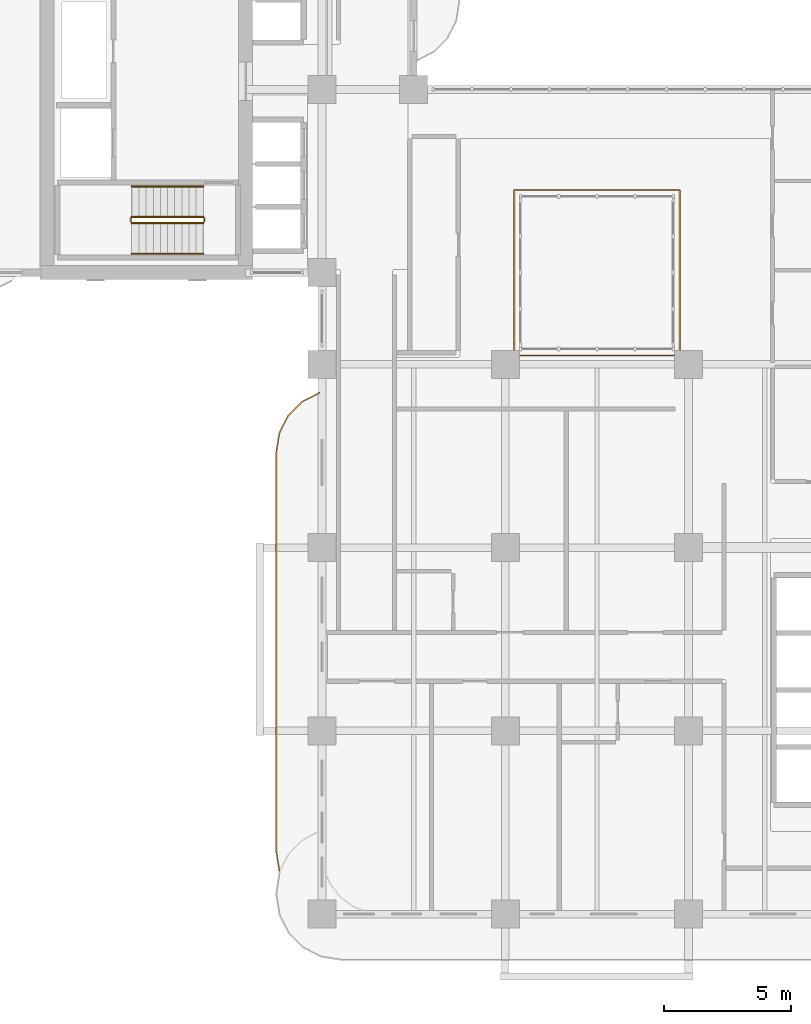
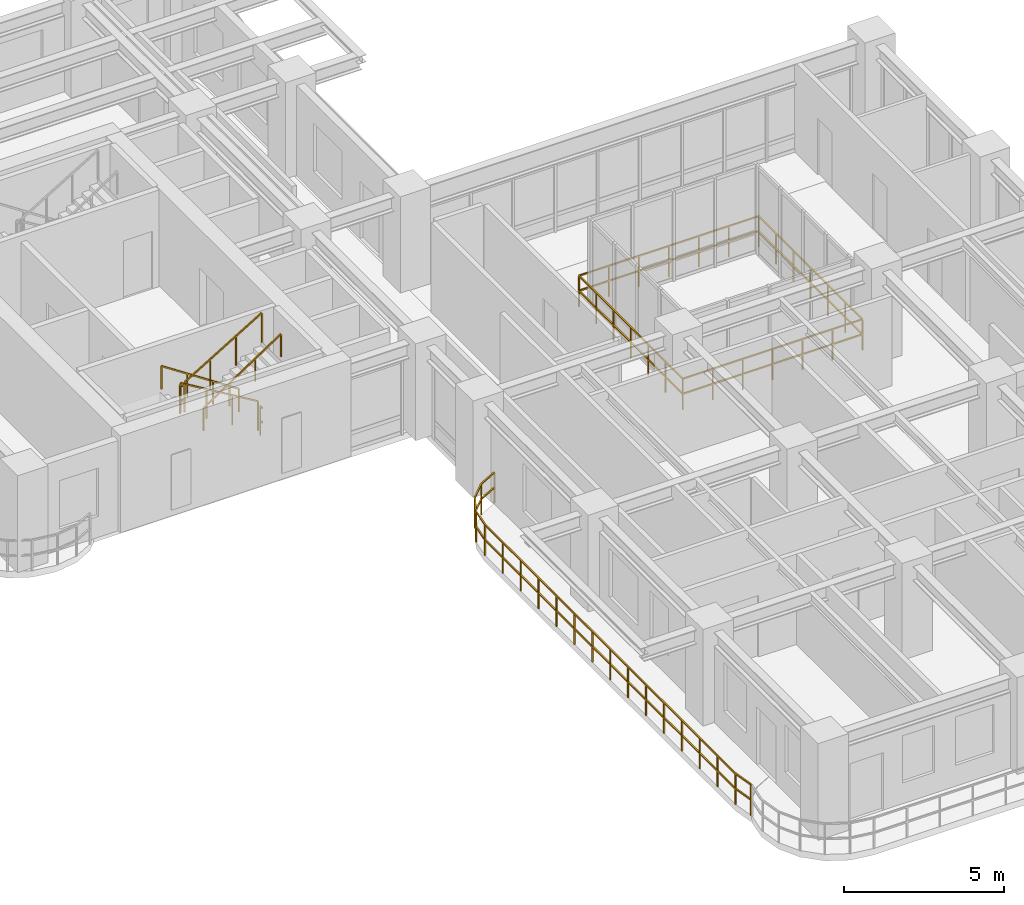
# One storey, part 18 of 22: 8 railings.
"""IFC4 building model written with IfcOpenShell, lengths in metres."""

from ifc_helpers import new_model, si_unit, derived_unit, direction, frame, origin, origin_2d, place, context, subcontext, project, spatial, rectangle, extrude, material, type_object, element, save


model = new_model("IFC4")

# Units and contexts
model_context = context("Model", 3, precision=1e-05, world=origin(), true_north=direction((0.0, 1.0)))
body_context = subcontext(model_context, "Body", "Model", "MODEL_VIEW")
ifc_project = project(units=[si_unit("LENGTHUNIT", "METRE"), si_unit("AREAUNIT", "SQUARE_METRE"), si_unit("VOLUMEUNIT", "CUBIC_METRE"), si_unit("PLANEANGLEUNIT", "RADIAN"), si_unit("MASSUNIT", "GRAM", prefix="KILO"), si_unit("THERMODYNAMICTEMPERATUREUNIT", "KELVIN"), si_unit("POWERUNIT", "WATT"), derived_unit("THERMALTRANSMITTANCEUNIT", [(si_unit("POWERUNIT", "WATT"), 1), (si_unit("AREAUNIT", "SQUARE_METRE"), -1), (si_unit("THERMODYNAMICTEMPERATUREUNIT", "KELVIN"), -1)])], contexts=[model_context])

# Site, building, storey
site_placement = place(None, origin())
site = spatial("IfcSite", under=ifc_project, at=site_placement, CompositionType="ELEMENT")
building_placement = place(site_placement, origin())
building = spatial("IfcBuilding", under=site, at=building_placement, Name="Zahravan Archway Hotel and Residences", CompositionType="ELEMENT")
storey_placement = place(building_placement, frame((0.0, 0.0, 95.300048828125)))
storey = spatial("IfcBuildingStorey", under=building, at=storey_placement, Name="L23", CompositionType="ELEMENT", Elevation=95.300048828125)

# Railings
ifc_material_1 = material(Name="Atrium Laminated Glass Guardrail", Category="glass")
railing_type_1 = type_object("IfcRailingType", Name="RL-ATR-1200", PredefinedType="BALUSTRADE", material=ifc_material_1)
railing_1_placement = place(storey_placement, frame((21.949951171875, 21.949951171875, 0.0)))
element("IfcRailing", 1, at=railing_1_placement, inside=storey, type_object=railing_type_1, Name="L23 Balustrade RL-ATR-L23", PredefinedType="BALUSTRADE", context=body_context, shape_type="SweptSolid", body=[
    extrude(rectangle(XDim=0.048095703125, YDim=0.048095703125, at=origin_2d()), frame((0.0, 0.0, 1.17578125), z_axis=(1.0, 0.0, 0.0), x_axis=(0.0, 1.0, 0.0)), (0.0, 0.0, 1.0), 6.5),
    extrude(rectangle(XDim=0.048095703125, YDim=0.048095703125, at=origin_2d()), frame((0.0, 0.0, 0.60009765625), z_axis=(1.0, 0.0, 0.0), x_axis=(0.0, 1.0, 0.0)), (0.0, 0.0, 1.0), 6.5),
    extrude(rectangle(XDim=0.048095703125, YDim=0.048095703125, at=origin_2d()), frame((6.5, 0.0, 1.17578125), z_axis=(0.0, 1.0, 0.0), x_axis=(-1.0, 0.0, 0.0)), (0.0, 0.0, 1.0), 6.5),
    extrude(rectangle(XDim=0.048095703125, YDim=0.048095703125, at=origin_2d()), frame((6.5, 0.0, 0.60009765625), z_axis=(0.0, 1.0, 0.0), x_axis=(-1.0, 0.0, 0.0)), (0.0, 0.0, 1.0), 6.5),
    extrude(rectangle(XDim=0.048095703125, YDim=0.048095703125, at=origin_2d()), frame((6.5, 6.5, 1.17578125), z_axis=(-1.0, 0.0, 0.0), x_axis=(0.0, -1.0, 0.0)), (0.0, 0.0, 1.0), 6.5),
    extrude(rectangle(XDim=0.048095703125, YDim=0.048095703125, at=origin_2d()), frame((6.5, 6.5, 0.60009765625), z_axis=(-1.0, 0.0, 0.0), x_axis=(0.0, -1.0, 0.0)), (0.0, 0.0, 1.0), 6.5),
    extrude(rectangle(XDim=0.048095703125, YDim=0.048095703125, at=origin_2d()), frame((0.0, 6.5, 1.17578125), z_axis=(0.0, -1.0, 0.0), x_axis=(1.0, 0.0, 0.0)), (0.0, 0.0, 1.0), 6.5),
    extrude(rectangle(XDim=0.048095703125, YDim=0.048095703125, at=origin_2d()), frame((0.0, 6.5, 0.60009765625), z_axis=(0.0, -1.0, 0.0), x_axis=(1.0, 0.0, 0.0)), (0.0, 0.0, 1.0), 6.5),
    extrude(rectangle(XDim=0.0419921875, YDim=0.0419921875, at=origin_2d()), origin(), (0.0, 0.0, 1.0), 1.15185546875),
    extrude(rectangle(XDim=0.0419921875, YDim=0.0419921875, at=origin_2d()), frame((1.083251953125, 0.0, 0.0)), (0.0, 0.0, 1.0), 1.15185546875),
    extrude(rectangle(XDim=0.0419921875, YDim=0.0419921875, at=origin_2d()), frame((2.166748046875, 0.0, 0.0)), (0.0, 0.0, 1.0), 1.15185546875),
    extrude(rectangle(XDim=0.0419921875, YDim=0.0419921875, at=origin_2d()), frame((3.25, 0.0, 0.0)), (0.0, 0.0, 1.0), 1.15185546875),
    extrude(rectangle(XDim=0.0419921875, YDim=0.0419921875, at=origin_2d()), frame((4.333251953125, 0.0, 0.0)), (0.0, 0.0, 1.0), 1.15185546875),
    extrude(rectangle(XDim=0.0419921875, YDim=0.0419921875, at=origin_2d()), frame((5.416748046875, 0.0, 0.0)), (0.0, 0.0, 1.0), 1.15185546875),
    extrude(rectangle(XDim=0.0419921875, YDim=0.0419921875, at=origin_2d()), frame((6.5, 0.0, 0.0)), (0.0, 0.0, 1.0), 1.15185546875),
    extrude(rectangle(XDim=0.0419921875, YDim=0.0419921875, at=origin_2d()), frame((6.5, 1.083251953125, 0.0)), (0.0, 0.0, 1.0), 1.15185546875),
    extrude(rectangle(XDim=0.0419921875, YDim=0.0419921875, at=origin_2d()), frame((6.5, 2.166748046875, 0.0)), (0.0, 0.0, 1.0), 1.15185546875),
    extrude(rectangle(XDim=0.0419921875, YDim=0.0419921875, at=origin_2d()), frame((6.5, 3.25, 0.0)), (0.0, 0.0, 1.0), 1.15185546875),
    extrude(rectangle(XDim=0.0419921875, YDim=0.0419921875, at=origin_2d()), frame((6.5, 4.333251953125, 0.0)), (0.0, 0.0, 1.0), 1.15185546875),
    extrude(rectangle(XDim=0.0419921875, YDim=0.0419921875, at=origin_2d()), frame((6.5, 5.416748046875, 0.0)), (0.0, 0.0, 1.0), 1.15185546875),
    extrude(rectangle(XDim=0.0419921875, YDim=0.0419921875, at=origin_2d()), frame((6.5, 6.5, 0.0)), (0.0, 0.0, 1.0), 1.15185546875),
    extrude(rectangle(XDim=0.0419921875, YDim=0.0419921875, at=origin_2d()), frame((5.416748046875, 6.5, 0.0)), (0.0, 0.0, 1.0), 1.15185546875),
    extrude(rectangle(XDim=0.0419921875, YDim=0.0419921875, at=origin_2d()), frame((4.333251953125, 6.5, 0.0)), (0.0, 0.0, 1.0), 1.15185546875),
    extrude(rectangle(XDim=0.0419921875, YDim=0.0419921875, at=origin_2d()), frame((3.25, 6.5, 0.0)), (0.0, 0.0, 1.0), 1.15185546875),
    extrude(rectangle(XDim=0.0419921875, YDim=0.0419921875, at=origin_2d()), frame((2.166748046875, 6.5, 0.0)), (0.0, 0.0, 1.0), 1.15185546875),
    extrude(rectangle(XDim=0.0419921875, YDim=0.0419921875, at=origin_2d()), frame((1.083251953125, 6.5, 0.0)), (0.0, 0.0, 1.0), 1.15185546875),
    extrude(rectangle(XDim=0.0419921875, YDim=0.0419921875, at=origin_2d()), frame((0.0, 6.5, 0.0)), (0.0, 0.0, 1.0), 1.15185546875),
    extrude(rectangle(XDim=0.0419921875, YDim=0.0419921875, at=origin_2d()), frame((0.0, 5.416748046875, 0.0)), (0.0, 0.0, 1.0), 1.15185546875),
    extrude(rectangle(XDim=0.0419921875, YDim=0.0419921875, at=origin_2d()), frame((0.0, 4.333251953125, 0.0)), (0.0, 0.0, 1.0), 1.15185546875),
    extrude(rectangle(XDim=0.0419921875, YDim=0.0419921875, at=origin_2d()), frame((0.0, 3.25, 0.0)), (0.0, 0.0, 1.0), 1.15185546875),
    extrude(rectangle(XDim=0.0419921875, YDim=0.0419921875, at=origin_2d()), frame((0.0, 2.166748046875, 0.0)), (0.0, 0.0, 1.0), 1.15185546875),
    extrude(rectangle(XDim=0.0419921875, YDim=0.0419921875, at=origin_2d()), frame((0.0, 1.083251953125, 0.0)), (0.0, 0.0, 1.0), 1.15185546875),
])
ifc_material_2 = material(Name="Bronze & Laminated Glass Balustrade", Category="glass")
railing_type_2 = type_object("IfcRailingType", Name="RL-BAL-1200", PredefinedType="BALUSTRADE", material=ifc_material_2)
railing_2_placement = place(storey_placement, frame((12.719970703125, 1.69287109375, 0.0)))
element("IfcRailing", 2, at=railing_2_placement, inside=storey, type_object=railing_type_2, Name="L23 Balustrade RL-SLB-BAL-L23-WA-1", PredefinedType="BALUSTRADE", context=body_context, shape_type="SweptSolid", body=[
    extrude(rectangle(XDim=0.048095703125, YDim=0.048095703125, at=origin_2d()), frame((0.0, 0.0, 1.17578125), z_axis=(-0.156387811283, 0.987695728695, 0.0), x_axis=(-0.987695728695, -0.156387811283, 0.0)), (0.0, 0.0, 1.0), 0.7666015625),
    extrude(rectangle(XDim=0.048095703125, YDim=0.048095703125, at=origin_2d()), frame((0.0, 0.0, 0.60009765625), z_axis=(-0.156387811283, 0.987695728695, 0.0), x_axis=(-0.987695728695, -0.156387811283, 0.0)), (0.0, 0.0, 1.0), 0.7666015625),
    extrude(rectangle(XDim=0.048095703125, YDim=0.048095703125, at=origin_2d()), frame((-0.119873046875, 0.757080078125, 1.17578125), z_axis=(0.0, 1.0, 0.0), x_axis=(-1.0, 0.0, 0.0)), (0.0, 0.0, 1.0), 15.699951171875),
    extrude(rectangle(XDim=0.048095703125, YDim=0.048095703125, at=origin_2d()), frame((-0.119873046875, 0.757080078125, 0.60009765625), z_axis=(0.0, 1.0, 0.0), x_axis=(-1.0, 0.0, 0.0)), (0.0, 0.0, 1.0), 15.699951171875),
    extrude(rectangle(XDim=0.048095703125, YDim=0.048095703125, at=origin_2d()), frame((-0.119873046875, 16.45703125, 1.17578125), z_axis=(0.156387811283, 0.987695728695, 0.0), x_axis=(-0.987695728695, 0.156387811283, 0.0)), (0.0, 0.0, 1.0), 0.7666015625),
    extrude(rectangle(XDim=0.048095703125, YDim=0.048095703125, at=origin_2d()), frame((-0.119873046875, 16.45703125, 0.60009765625), z_axis=(0.156387811283, 0.987695728695, 0.0), x_axis=(-0.987695728695, 0.156387811283, 0.0)), (0.0, 0.0, 1.0), 0.7666015625),
    extrude(rectangle(XDim=0.048095703125, YDim=0.048095703125, at=origin_2d()), frame((0.0, 17.214111328125, 1.17578125), z_axis=(0.453825591531, 0.891090529897, 0.0), x_axis=(-0.891090529897, 0.453825591531, 0.0)), (0.0, 0.0, 1.0), 0.7666015625),
    extrude(rectangle(XDim=0.048095703125, YDim=0.048095703125, at=origin_2d()), frame((0.0, 17.214111328125, 0.60009765625), z_axis=(0.453825591531, 0.891090529897, 0.0), x_axis=(-0.891090529897, 0.453825591531, 0.0)), (0.0, 0.0, 1.0), 0.7666015625),
    extrude(rectangle(XDim=0.048095703125, YDim=0.048095703125, at=origin_2d()), frame((0.347900390625, 17.897216796875, 1.17578125), z_axis=(0.707106781187, 0.707106781187, 0.0), x_axis=(-0.707106781187, 0.707106781187, 0.0)), (0.0, 0.0, 1.0), 0.7666015625),
    extrude(rectangle(XDim=0.048095703125, YDim=0.048095703125, at=origin_2d()), frame((0.347900390625, 17.897216796875, 0.60009765625), z_axis=(0.707106781187, 0.707106781187, 0.0), x_axis=(-0.707106781187, 0.707106781187, 0.0)), (0.0, 0.0, 1.0), 0.7666015625),
    extrude(rectangle(XDim=0.048095703125, YDim=0.048095703125, at=origin_2d()), frame((0.889892578125, 18.439208984375, 1.17578125), z_axis=(0.891090529897, 0.453825591531, 0.0), x_axis=(-0.453825591531, 0.891090529897, 0.0)), (0.0, 0.0, 1.0), 0.7666015625),
    extrude(rectangle(XDim=0.048095703125, YDim=0.048095703125, at=origin_2d()), frame((0.889892578125, 18.439208984375, 0.60009765625), z_axis=(0.891090529897, 0.453825591531, 0.0), x_axis=(-0.453825591531, 0.891090529897, 0.0)), (0.0, 0.0, 1.0), 0.7666015625),
    extrude(rectangle(XDim=0.0419921875, YDim=0.0419921875, at=origin_2d()), origin(), (0.0, 0.0, 1.0), 1.15185546875),
    extrude(rectangle(XDim=0.0419921875, YDim=0.0419921875, at=origin_2d()), frame((-0.119873046875, 0.757080078125, 0.0)), (0.0, 0.0, 1.0), 1.15185546875),
    extrude(rectangle(XDim=0.0419921875, YDim=0.0419921875, at=origin_2d()), frame((-0.119873046875, 1.87841796875, 0.0)), (0.0, 0.0, 1.0), 1.15185546875),
    extrude(rectangle(XDim=0.0419921875, YDim=0.0419921875, at=origin_2d()), frame((-0.119873046875, 3.0, 0.0)), (0.0, 0.0, 1.0), 1.15185546875),
    extrude(rectangle(XDim=0.0419921875, YDim=0.0419921875, at=origin_2d()), frame((-0.119873046875, 4.121337890625, 0.0)), (0.0, 0.0, 1.0), 1.15185546875),
    extrude(rectangle(XDim=0.0419921875, YDim=0.0419921875, at=origin_2d()), frame((-0.119873046875, 5.24267578125, 0.0)), (0.0, 0.0, 1.0), 1.15185546875),
    extrude(rectangle(XDim=0.0419921875, YDim=0.0419921875, at=origin_2d()), frame((-0.119873046875, 6.3642578125, 0.0)), (0.0, 0.0, 1.0), 1.15185546875),
    extrude(rectangle(XDim=0.0419921875, YDim=0.0419921875, at=origin_2d()), frame((-0.119873046875, 7.485595703125, 0.0)), (0.0, 0.0, 1.0), 1.15185546875),
    extrude(rectangle(XDim=0.0419921875, YDim=0.0419921875, at=origin_2d()), frame((-0.119873046875, 8.60693359375, 0.0)), (0.0, 0.0, 1.0), 1.15185546875),
    extrude(rectangle(XDim=0.0419921875, YDim=0.0419921875, at=origin_2d()), frame((-0.119873046875, 9.728515625, 0.0)), (0.0, 0.0, 1.0), 1.15185546875),
    extrude(rectangle(XDim=0.0419921875, YDim=0.0419921875, at=origin_2d()), frame((-0.119873046875, 10.849853515625, 0.0)), (0.0, 0.0, 1.0), 1.15185546875),
    extrude(rectangle(XDim=0.0419921875, YDim=0.0419921875, at=origin_2d()), frame((-0.119873046875, 11.971435546875, 0.0)), (0.0, 0.0, 1.0), 1.15185546875),
    extrude(rectangle(XDim=0.0419921875, YDim=0.0419921875, at=origin_2d()), frame((-0.119873046875, 13.0927734375, 0.0)), (0.0, 0.0, 1.0), 1.15185546875),
    extrude(rectangle(XDim=0.0419921875, YDim=0.0419921875, at=origin_2d()), frame((-0.119873046875, 14.214111328125, 0.0)), (0.0, 0.0, 1.0), 1.15185546875),
    extrude(rectangle(XDim=0.0419921875, YDim=0.0419921875, at=origin_2d()), frame((-0.119873046875, 15.335693359375, 0.0)), (0.0, 0.0, 1.0), 1.15185546875),
    extrude(rectangle(XDim=0.0419921875, YDim=0.0419921875, at=origin_2d()), frame((-0.119873046875, 16.45703125, 0.0)), (0.0, 0.0, 1.0), 1.15185546875),
    extrude(rectangle(XDim=0.0419921875, YDim=0.0419921875, at=origin_2d()), frame((0.0, 17.214111328125, 0.0)), (0.0, 0.0, 1.0), 1.15185546875),
    extrude(rectangle(XDim=0.0419921875, YDim=0.0419921875, at=origin_2d()), frame((0.347900390625, 17.897216796875, 0.0)), (0.0, 0.0, 1.0), 1.15185546875),
    extrude(rectangle(XDim=0.0419921875, YDim=0.0419921875, at=origin_2d()), frame((0.889892578125, 18.439208984375, 0.0)), (0.0, 0.0, 1.0), 1.15185546875),
    extrude(rectangle(XDim=0.0419921875, YDim=0.0419921875, at=origin_2d()), frame((1.572998046875, 18.787109375, 0.0)), (0.0, 0.0, 1.0), 1.15185546875),
])
ifc_material_3 = material(Name="Painted Tubular Steel", Category="steel")
railing_type_3 = type_object("IfcRailingType", Name="RL-STG-1150", PredefinedType="GUARDRAIL", material=ifc_material_3)
railing_3_placement = place(storey_placement, frame((9.72998046875, 27.389892578125, 0.168212890625)))
element("IfcRailing", 3, at=railing_3_placement, inside=storey, type_object=railing_type_3, Name="L23 ST-B1 stair guard 1", PredefinedType="GUARDRAIL", context=body_context, shape_type="SweptSolid", body=[
    extrude(rectangle(XDim=0.048095703125, YDim=0.048095703125, at=origin_2d()), frame((0.0, 0.0, 1.1259765625), z_axis=(-0.857275202839, 0.0, 0.514858452973), x_axis=(0.0, -1.0, 0.0)), (0.0, 0.0, 1.0), 3.26611328125),
    extrude(rectangle(XDim=0.0419921875, YDim=0.0419921875, at=origin_2d()), origin(), (0.0, 0.0, 1.0), 1.101806640625),
    extrude(rectangle(XDim=0.0419921875, YDim=0.0419921875, at=origin_2d()), frame((-0.933349609375, 0.0, 0.560546875)), (0.0, 0.0, 1.0), 1.101806640625),
    extrude(rectangle(XDim=0.0419921875, YDim=0.0419921875, at=origin_2d()), frame((-1.86669921875, 0.0, 1.12109375)), (0.0, 0.0, 1.0), 1.101806640625),
    extrude(rectangle(XDim=0.0419921875, YDim=0.0419921875, at=origin_2d()), frame((-2.800048828125, 0.0, 1.681640625)), (0.0, 0.0, 1.0), 1.101806640625),
])
railing_4_placement = place(storey_placement, frame((6.8798828125, 27.340087890625, 1.849853515625)))
element("IfcRailing", 4, at=railing_4_placement, inside=storey, type_object=railing_type_3, Name="L23 ST-B1 stair guard 2", PredefinedType="GUARDRAIL", context=body_context, shape_type="SweptSolid", body=[
    extrude(rectangle(XDim=0.048095703125, YDim=0.048095703125, at=origin_2d()), frame((0.0, 0.0, 1.1259765625), z_axis=(0.0, -1.0, 0.0), x_axis=(1.0, 0.0, 0.0)), (0.0, 0.0, 1.0), 0.14013671875),
    extrude(rectangle(XDim=0.048095703125, YDim=0.048095703125, at=origin_2d()), frame((0.0, 0.0, 0.574951171875), z_axis=(0.0, -1.0, 0.0), x_axis=(1.0, 0.0, 0.0)), (0.0, 0.0, 1.0), 0.14013671875),
    extrude(rectangle(XDim=0.0419921875, YDim=0.0419921875, at=origin_2d()), origin(), (0.0, 0.0, 1.0), 1.101806640625),
])
railing_5_placement = place(storey_placement, frame((6.929931640625, 27.14990234375, 2.01806640625)))
element("IfcRailing", 5, at=railing_5_placement, inside=storey, type_object=railing_type_3, Name="L23 ST-B1 stair guard 3", PredefinedType="GUARDRAIL", context=body_context, shape_type="SweptSolid", body=[
    extrude(rectangle(XDim=0.048095703125, YDim=0.048095703125, at=origin_2d()), frame((0.0, 0.0, 1.1259765625), z_axis=(0.857242210791, 0.0, 0.514913383045), x_axis=(0.0, 1.0, 0.0)), (0.0, 0.0, 1.0), 3.266357421875),
    extrude(rectangle(XDim=0.0419921875, YDim=0.0419921875, at=origin_2d()), origin(), (0.0, 0.0, 1.0), 1.101806640625),
    extrude(rectangle(XDim=0.0419921875, YDim=0.0419921875, at=origin_2d()), frame((0.933349609375, 0.0, 0.560546875)), (0.0, 0.0, 1.0), 1.101806640625),
    extrude(rectangle(XDim=0.0419921875, YDim=0.0419921875, at=origin_2d()), frame((1.86669921875, 0.0, 1.121337890625)), (0.0, 0.0, 1.0), 1.101806640625),
    extrude(rectangle(XDim=0.0419921875, YDim=0.0419921875, at=origin_2d()), frame((2.800048828125, 0.0, 1.681884765625)), (0.0, 0.0, 1.0), 1.101806640625),
])
railing_6_placement = place(storey_placement, frame((9.780029296875, 27.340087890625, 0.0)))
element("IfcRailing", 6, at=railing_6_placement, inside=storey, type_object=railing_type_3, Name="L23 ST-B1 stair guard 4", PredefinedType="GUARDRAIL", context=body_context, shape_type="SweptSolid", body=[
    extrude(rectangle(XDim=0.048095703125, YDim=0.048095703125, at=origin_2d()), frame((0.0, 0.0, 1.1259765625), z_axis=(0.0, -1.0, 0.0), x_axis=(1.0, 0.0, 0.0)), (0.0, 0.0, 1.0), 0.14013671875),
    extrude(rectangle(XDim=0.048095703125, YDim=0.048095703125, at=origin_2d()), frame((0.0, 0.0, 0.574951171875), z_axis=(0.0, -1.0, 0.0), x_axis=(1.0, 0.0, 0.0)), (0.0, 0.0, 1.0), 0.14013671875),
    extrude(rectangle(XDim=0.0419921875, YDim=0.0419921875, at=origin_2d()), origin(), (0.0, 0.0, 1.0), 1.101806640625),
])
ifc_material_4 = material(Name="Brushed Stainless Steel", Category="steel")
railing_type_4 = type_object("IfcRailingType", Name="RL-STH-900", PredefinedType="HANDRAIL", material=ifc_material_4)
railing_7_placement = place(storey_placement, frame((9.72998046875, 28.590087890625, 0.168212890625)))
element("IfcRailing", 7, at=railing_7_placement, inside=storey, type_object=railing_type_4, Name="L23 ST-B1 stair handrail 1", PredefinedType="HANDRAIL", context=body_context, shape_type="SweptSolid", body=[
    extrude(rectangle(XDim=0.048095703125, YDim=0.048095703125, at=origin_2d()), frame((0.0, 0.0, 0.8759765625), z_axis=(-0.83435981716, 0.0, 0.551220187865), x_axis=(0.0, -1.0, 0.0)), (0.0, 0.0, 1.0), 3.35595703125),
    extrude(rectangle(XDim=0.0419921875, YDim=0.0419921875, at=origin_2d()), origin(), (0.0, 0.0, 1.0), 0.851806640625),
    extrude(rectangle(XDim=0.0419921875, YDim=0.0419921875, at=origin_2d()), frame((-0.933349609375, 0.0, 0.61669921875)), (0.0, 0.0, 1.0), 0.851806640625),
    extrude(rectangle(XDim=0.0419921875, YDim=0.0419921875, at=origin_2d()), frame((-1.86669921875, 0.0, 1.233154296875)), (0.0, 0.0, 1.0), 0.851806640625),
    extrude(rectangle(XDim=0.0419921875, YDim=0.0419921875, at=origin_2d()), frame((-2.800048828125, 0.0, 1.849853515625)), (0.0, 0.0, 1.0), 0.851806640625),
])
railing_8_placement = place(storey_placement, frame((6.929931640625, 25.949951171875, 2.01806640625)))
element("IfcRailing", 8, at=railing_8_placement, inside=storey, type_object=railing_type_4, Name="L23 ST-B1 stair handrail 2", PredefinedType="HANDRAIL", context=body_context, shape_type="SweptSolid", body=[
    extrude(rectangle(XDim=0.048095703125, YDim=0.048095703125, at=origin_2d()), frame((0.0, 0.0, 0.8759765625), z_axis=(0.834326358476, 0.0, 0.551270829586), x_axis=(0.0, 1.0, 0.0)), (0.0, 0.0, 1.0), 3.35595703125),
    extrude(rectangle(XDim=0.0419921875, YDim=0.0419921875, at=origin_2d()), origin(), (0.0, 0.0, 1.0), 0.851806640625),
    extrude(rectangle(XDim=0.0419921875, YDim=0.0419921875, at=origin_2d()), frame((0.933349609375, 0.0, 0.61669921875)), (0.0, 0.0, 1.0), 0.851806640625),
    extrude(rectangle(XDim=0.0419921875, YDim=0.0419921875, at=origin_2d()), frame((1.86669921875, 0.0, 1.2333984375)), (0.0, 0.0, 1.0), 0.851806640625),
    extrude(rectangle(XDim=0.0419921875, YDim=0.0419921875, at=origin_2d()), frame((2.800048828125, 0.0, 1.85009765625)), (0.0, 0.0, 1.0), 0.851806640625),
])

save(model, "model.ifc")
